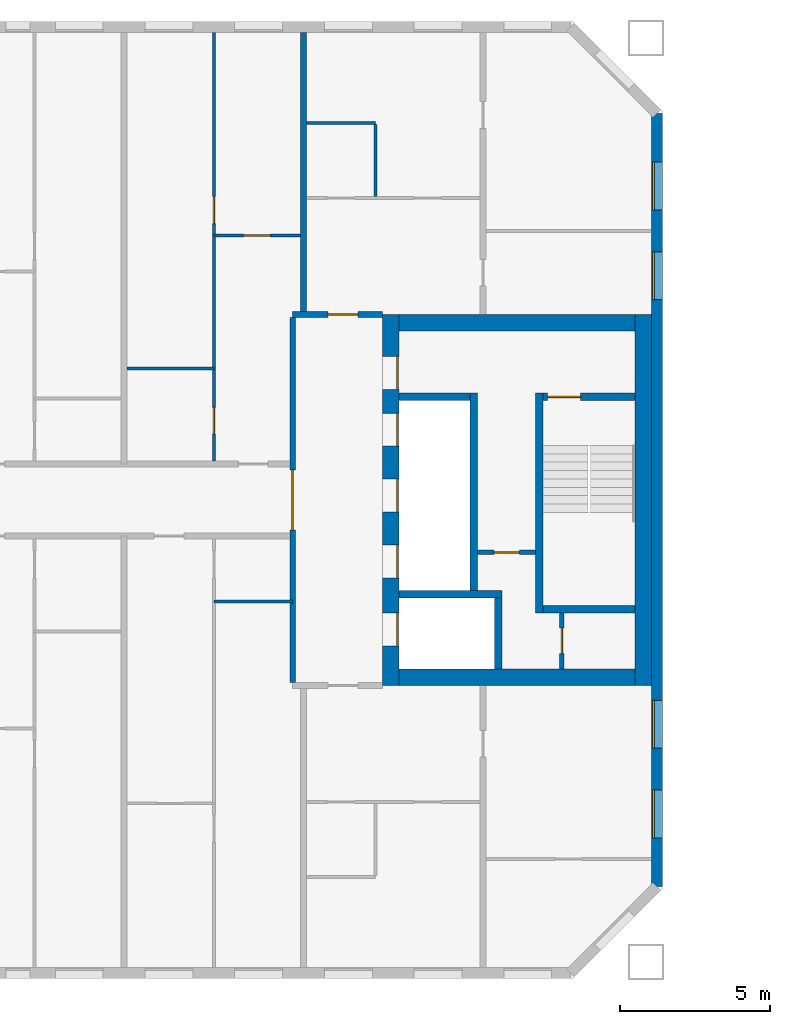
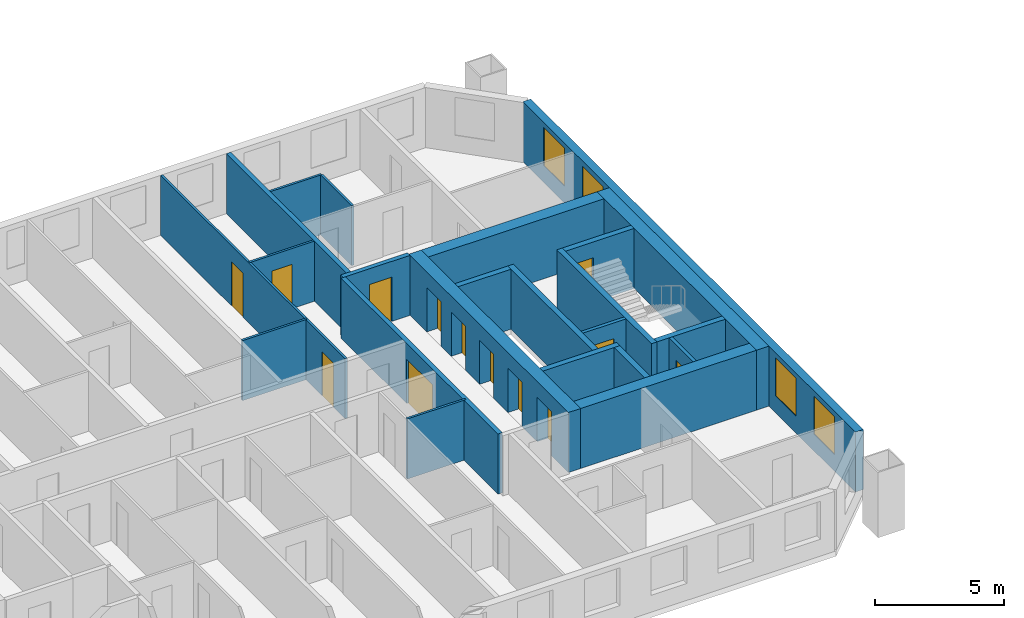
# One storey, part 7 of 16: 23 walls, 13 doors, 4 windows, 17 openings.
"""IFC4 building model written with IfcOpenShell, lengths in metres."""

from ifc_helpers import new_model, si_unit, direction, frame, frame_2d, origin, place, context, subcontext, project, spatial, rectangle, extrude, material, layer, layer_set, type_object, element, fill, save


model = new_model("IFC4")

# Units and contexts
model_context = context("Model", 3, precision=1e-05, world=origin(), true_north=direction((0.0, 1.0)))
body_context = subcontext(model_context, "Body", "Model", "MODEL_VIEW")
ifc_project = project(units=[si_unit("LENGTHUNIT", "METRE"), si_unit("AREAUNIT", "SQUARE_METRE"), si_unit("VOLUMEUNIT", "CUBIC_METRE"), si_unit("PLANEANGLEUNIT", "RADIAN"), si_unit("MASSUNIT", "GRAM", prefix="KILO")], contexts=[model_context])

# Site, building, storey
site_placement = place(None, origin())
site = spatial("IfcSite", under=ifc_project, at=site_placement, CompositionType="ELEMENT")
building_placement = place(site_placement, origin())
building = spatial("IfcBuilding", under=site, at=building_placement, Name="Tuart Gate Housing", CompositionType="ELEMENT")
storey_placement = place(building_placement, frame((0.0, 0.0, 139.199951171875)))
storey = spatial("IfcBuildingStorey", under=building, at=storey_placement, Name="L39", CompositionType="ELEMENT", Elevation=139.199951171875)

# Wall, openings, windows
ifc_material_1 = material(Name="Brick", Category="masonry")
ifc_layer_1 = layer(ifc_material_1, 0.360107421875)
ifc_layer_set_1 = layer_set([ifc_layer_1], Name="Brick pier and spandrel wall 360")
wall_type_1 = type_object("IfcWallType", Name="Brick pier and spandrel wall 360", PredefinedType="STANDARD", material=ifc_layer_set_1)
wall_1_placement = place(storey_placement, frame((75.820068359375, 57.07470703125, 0.0), z_axis=(0.0, 0.0, 1.0), x_axis=(0.0, 1.0, 0.0)))
wall_1 = element("IfcWall", 1, at=wall_1_placement, inside=storey, type_object=wall_type_1, Name="External wall A-E L39", PredefinedType="STANDARD", context=body_context, shape_type="SweptSolid", body=[
    extrude(rectangle(XDim=25.850830078125, YDim=0.360107421875, at=frame_2d((12.92529296875, 0.0))), origin(), (0.0, 0.0, 1.0), 2.85009765625),
])
opening_1_placement = place(wall_1_placement, frame((1.62548828125, 0.0, 0.800048828125)))
opening_1 = element("IfcOpeningElement", 2, at=opening_1_placement, cuts=wall_1, Name="Opening W1", PredefinedType="OPENING", context=body_context, shape_type="SweptSolid", body=[
    extrude(rectangle(XDim=1.60009765625, YDim=1.800048828125, at=frame_2d((0.800048828125, 0.89990234375))), frame((0.0, 0.18994140625, 0.0), z_axis=(0.0, -1.0, 0.0), x_axis=(1.0, 0.0, 0.0)), (0.0, 0.0, 1.0), 0.380126953125),
])
opening_2_placement = place(wall_1_placement, frame((4.62548828125, 0.0, 0.800048828125)))
opening_2 = element("IfcOpeningElement", 3, at=opening_2_placement, cuts=wall_1, Name="Opening W1", PredefinedType="OPENING", context=body_context, shape_type="SweptSolid", body=[
    extrude(rectangle(XDim=1.60009765625, YDim=1.800048828125, at=frame_2d((0.800048828125, 0.89990234375))), frame((0.0, 0.18994140625, 0.0), z_axis=(0.0, -1.0, 0.0), x_axis=(1.0, 0.0, 0.0)), (0.0, 0.0, 1.0), 0.380126953125),
])
opening_3_placement = place(wall_1_placement, frame((19.62548828125, 0.0, 0.800048828125)))
opening_3 = element("IfcOpeningElement", 4, at=opening_3_placement, cuts=wall_1, Name="Opening W1", PredefinedType="OPENING", context=body_context, shape_type="SweptSolid", body=[
    extrude(rectangle(XDim=1.60009765625, YDim=1.800048828125, at=frame_2d((0.800048828125, 0.89990234375))), frame((0.0, 0.18994140625, 0.0), z_axis=(0.0, -1.0, 0.0), x_axis=(1.0, 0.0, 0.0)), (0.0, 0.0, 1.0), 0.380126953125),
])
opening_4_placement = place(wall_1_placement, frame((22.62548828125, 0.0, 0.800048828125)))
opening_4 = element("IfcOpeningElement", 5, at=opening_4_placement, cuts=wall_1, Name="Opening W1", PredefinedType="OPENING", context=body_context, shape_type="SweptSolid", body=[
    extrude(rectangle(XDim=1.60009765625, YDim=1.800048828125, at=frame_2d((0.800048828125, 0.89990234375))), frame((0.0, 0.18994140625, 0.0), z_axis=(0.0, -1.0, 0.0), x_axis=(1.0, 0.0, 0.0)), (0.0, 0.0, 1.0), 0.380126953125),
])
ifc_material_2 = material(Name="Aluminium frame with clear glass", Category="aluminium")
window_type = type_object("IfcWindowType", Name="Punched window 1600 x 1800", PartitioningType="SINGLE_PANEL", PredefinedType="WINDOW", material=ifc_material_2)
window_1_placement = place(opening_1_placement, origin())
window_1 = element("IfcWindow", 6, at=window_1_placement, inside=storey, type_object=window_type, Name="Window W1", OverallHeight=1.800048828125, OverallWidth=1.60009765625, PartitioningType="SINGLE_PANEL", PredefinedType="WINDOW", context=body_context, shape_type="SweptSolid", body=[
    extrude(rectangle(XDim=1.60009765625, YDim=1.800048828125, at=frame_2d((0.800048828125, 0.89990234375))), frame((0.0, 0.150146484375, 0.0), z_axis=(0.0, -1.0, 0.0), x_axis=(1.0, 0.0, 0.0)), (0.0, 0.0, 1.0), 0.06005859375),
])
fill(opening_1, window_1)
window_2_placement = place(opening_2_placement, origin())
window_2 = element("IfcWindow", 7, at=window_2_placement, inside=storey, type_object=window_type, Name="Window W1", OverallHeight=1.800048828125, OverallWidth=1.60009765625, PartitioningType="SINGLE_PANEL", PredefinedType="WINDOW", context=body_context, shape_type="SweptSolid", body=[
    extrude(rectangle(XDim=1.60009765625, YDim=1.800048828125, at=frame_2d((0.800048828125, 0.89990234375))), frame((0.0, 0.150146484375, 0.0), z_axis=(0.0, -1.0, 0.0), x_axis=(1.0, 0.0, 0.0)), (0.0, 0.0, 1.0), 0.06005859375),
])
fill(opening_2, window_2)
window_3_placement = place(opening_3_placement, origin())
window_3 = element("IfcWindow", 8, at=window_3_placement, inside=storey, type_object=window_type, Name="Window W1", OverallHeight=1.800048828125, OverallWidth=1.60009765625, PartitioningType="SINGLE_PANEL", PredefinedType="WINDOW", context=body_context, shape_type="SweptSolid", body=[
    extrude(rectangle(XDim=1.60009765625, YDim=1.800048828125, at=frame_2d((0.800048828125, 0.89990234375))), frame((0.0, 0.150146484375, 0.0), z_axis=(0.0, -1.0, 0.0), x_axis=(1.0, 0.0, 0.0)), (0.0, 0.0, 1.0), 0.06005859375),
])
fill(opening_3, window_3)
window_4_placement = place(opening_4_placement, origin())
window_4 = element("IfcWindow", 9, at=window_4_placement, inside=storey, type_object=window_type, Name="Window W1", OverallHeight=1.800048828125, OverallWidth=1.60009765625, PartitioningType="SINGLE_PANEL", PredefinedType="WINDOW", context=body_context, shape_type="SweptSolid", body=[
    extrude(rectangle(XDim=1.60009765625, YDim=1.800048828125, at=frame_2d((0.800048828125, 0.89990234375))), frame((0.0, 0.150146484375, 0.0), z_axis=(0.0, -1.0, 0.0), x_axis=(1.0, 0.0, 0.0)), (0.0, 0.0, 1.0), 0.06005859375),
])
fill(opening_4, window_4)

# Wall, opening, door
ifc_material_3 = material(Name="Plasterboard partition")
ifc_layer_2 = layer(ifc_material_3, 0.14990234375)
ifc_layer_set_2 = layer_set([ifc_layer_2], Name="Core partition 150")
wall_type_2 = type_object("IfcWallType", Name="Core partition 150", PredefinedType="PARTITIONING", material=ifc_layer_set_2)
wall_2_placement = place(storey_placement, frame((69.81494140625, 68.25, 0.0), z_axis=(0.0, 0.0, 1.0), x_axis=(1.0, 0.0, 0.0)))
wall_2 = element("IfcWall", 10, at=wall_2_placement, inside=storey, type_object=wall_type_2, Name="Core partition AG.3", PredefinedType="PARTITIONING", context=body_context, shape_type="SweptSolid", body=[
    extrude(rectangle(XDim=1.949951171875, YDim=0.14990234375, at=frame_2d((0.97509765625, 0.0))), origin(), (0.0, 0.0, 1.0), 2.85009765625),
])
opening_5_placement = place(wall_2_placement, frame((0.550048828125, 0.0, 0.0)))
opening_5 = element("IfcOpeningElement", 11, at=opening_5_placement, cuts=wall_2, Name="Opening D1440", PredefinedType="OPENING", context=body_context, shape_type="SweptSolid", body=[
    extrude(rectangle(XDim=0.85009765625, YDim=2.10009765625, at=frame_2d((0.425048828125, 1.050048828125))), frame((0.0, 0.0849609375, 0.0), z_axis=(0.0, -1.0, 0.0), x_axis=(1.0, 0.0, 0.0)), (0.0, 0.0, 1.0), 0.169921875),
])
ifc_material_4 = material(Name="Steel fire door", Category="steel")
door_type_1 = type_object("IfcDoorType", Name="Riser door 850 x 2100 RH", OperationType="SINGLE_SWING_RIGHT", PredefinedType="DOOR", material=ifc_material_4)
door_1_placement = place(opening_5_placement, frame((0.85009765625, 0.0, 0.0), z_axis=(0.0, 0.0, 1.0), x_axis=(-1.0, 0.0, 0.0)))
door_1 = element("IfcDoor", 12, at=door_1_placement, inside=storey, type_object=door_type_1, Name="Service room door AG.E1", OperationType="SINGLE_SWING_RIGHT", OverallHeight=2.10009765625, OverallWidth=0.85009765625, PredefinedType="DOOR", context=body_context, shape_type="SweptSolid", body=[
    extrude(rectangle(XDim=0.85009765625, YDim=2.10009765625, at=frame_2d((0.425048828125, 1.050048828125))), frame((0.0, 0.025146484375, 0.0), z_axis=(0.0, -1.0, 0.0), x_axis=(1.0, 0.0, 0.0)), (0.0, 0.0, 1.0), 0.050048828125),
])
fill(opening_5, door_1)

wall_3_placement = place(storey_placement, frame((72.639892578125, 64.35009765625, 0.0), z_axis=(0.0, 0.0, 1.0), x_axis=(0.0, 1.0, 0.0)))
wall_3 = element("IfcWall", 13, at=wall_3_placement, inside=storey, type_object=wall_type_2, Name="Core partition AG.9", PredefinedType="PARTITIONING", context=body_context, shape_type="SweptSolid", body=[
    extrude(rectangle(XDim=1.875, YDim=0.14990234375, at=frame_2d((0.9375, 0.0))), origin(), (0.0, 0.0, 1.0), 2.85009765625),
])
opening_6_placement = place(wall_3_placement, frame((0.512451171875, 0.0, 0.0)))
opening_6 = element("IfcOpeningElement", 14, at=opening_6_placement, cuts=wall_3, Name="Opening D1442", PredefinedType="OPENING", context=body_context, shape_type="SweptSolid", body=[
    extrude(rectangle(XDim=0.85009765625, YDim=2.10009765625, at=frame_2d((0.425048828125, 1.050048828125))), frame((0.0, 0.0849609375, 0.0), z_axis=(0.0, -1.0, 0.0), x_axis=(1.0, 0.0, 0.0)), (0.0, 0.0, 1.0), 0.169921875),
])
ifc_material_5 = material(Name="Steel fire door", Category="steel")
door_type_2 = type_object("IfcDoorType", Name="Service door 850 x 2100", OperationType="SINGLE_SWING_LEFT", PredefinedType="DOOR", material=ifc_material_5)
door_2_placement = place(opening_6_placement, origin())
door_2 = element("IfcDoor", 15, at=door_2_placement, inside=storey, type_object=door_type_2, Name="Service room door AG.E2", OperationType="SINGLE_SWING_LEFT", OverallHeight=2.10009765625, OverallWidth=0.85009765625, PredefinedType="DOOR", context=body_context, shape_type="SweptSolid", body=[
    extrude(rectangle(XDim=0.85009765625, YDim=2.10009765625, at=frame_2d((0.425048828125, 1.050048828125))), frame((0.0, 0.02490234375, 0.0), z_axis=(0.0, -1.0, 0.0), x_axis=(1.0, 0.0, 0.0)), (0.0, 0.0, 1.0), 0.050048828125),
])
fill(opening_6, door_2)

# Walls
ifc_material_6 = material(Name="Concrete C50", Category="concrete")
ifc_layer_3 = layer(ifc_material_6, 0.25)
ifc_layer_set_3 = layer_set([ifc_layer_3], Name="Core wall 250 C50")
wall_type_3 = type_object("IfcWallType", Name="Core wall 250 C50", PredefinedType="SHEAR", material=ifc_layer_set_3)
wall_4_placement = place(storey_placement, frame((72.014892578125, 66.35009765625, 0.0), z_axis=(0.0, 0.0, 1.0), x_axis=(1.0, 0.0, 0.0)))
element("IfcWall", 16, at=wall_4_placement, inside=storey, type_object=wall_type_3, Name="Core wall AG.1", PredefinedType="SHEAR", context=body_context, shape_type="SweptSolid", body=[
    extrude(rectangle(XDim=3.0751953125, YDim=0.25, at=frame_2d((1.53759765625, 0.0))), origin(), (0.0, 0.0, 1.0), 2.85009765625),
])
wall_5_placement = place(storey_placement, frame((67.18994140625, 66.85009765625, 0.0), z_axis=(0.0, 0.0, 1.0), x_axis=(1.0, 0.0, 0.0)))
element("IfcWall", 17, at=wall_5_placement, inside=storey, type_object=wall_type_3, Name="Core wall AG.2", PredefinedType="SHEAR", context=body_context, shape_type="SweptSolid", body=[
    extrude(rectangle(XDim=3.445068359375, YDim=0.25, at=frame_2d((1.72265625, 0.0))), origin(), (0.0, 0.0, 1.0), 2.85009765625),
])
wall_6_placement = place(storey_placement, frame((67.18994140625, 73.449951171875, 0.0), z_axis=(0.0, 0.0, 1.0), x_axis=(1.0, 0.0, 0.0)))
element("IfcWall", 18, at=wall_6_placement, inside=storey, type_object=wall_type_3, Name="Core wall AG.4", PredefinedType="SHEAR", context=body_context, shape_type="SweptSolid", body=[
    extrude(rectangle(XDim=2.375, YDim=0.25, at=frame_2d((1.1875, 0.0))), origin(), (0.0, 0.0, 1.0), 2.85009765625),
])

# Wall, opening, door
wall_7_placement = place(storey_placement, frame((72.014892578125, 73.449951171875, 0.0), z_axis=(0.0, 0.0, 1.0), x_axis=(1.0, 0.0, 0.0)))
wall_7 = element("IfcWall", 19, at=wall_7_placement, inside=storey, type_object=wall_type_3, Name="Core wall AG.5", PredefinedType="SHEAR", context=body_context, shape_type="SweptSolid", body=[
    extrude(rectangle(XDim=3.0751953125, YDim=0.25, at=frame_2d((1.53759765625, 0.0))), origin(), (0.0, 0.0, 1.0), 2.85009765625),
])
opening_7_placement = place(wall_7_placement, frame((0.14990234375, 0.0, 0.0)))
opening_7 = element("IfcOpeningElement", 20, at=opening_7_placement, cuts=wall_7, Name="Opening D1423", PredefinedType="OPENING", context=body_context, shape_type="SweptSolid", body=[
    extrude(rectangle(XDim=1.10009765625, YDim=2.10009765625, at=frame_2d((0.550048828125, 1.050048828125))), frame((0.0, 0.135009765625, 0.0), z_axis=(0.0, -1.0, 0.0), x_axis=(1.0, 0.0, 0.0)), (0.0, 0.0, 1.0), 0.27001953125),
])
ifc_material_7 = material(Name="Steel fire door", Category="steel")
door_type_3 = type_object("IfcDoorType", Name="Stair door 1100 x 2100 RH", OperationType="SINGLE_SWING_RIGHT", PredefinedType="DOOR", material=ifc_material_7)
door_3_placement = place(opening_7_placement, frame((1.10009765625, 0.0, 0.0), z_axis=(0.0, 0.0, 1.0), x_axis=(-1.0, 0.0, 0.0)))
door_3 = element("IfcDoor", 21, at=door_3_placement, inside=storey, type_object=door_type_3, Name="Stair door AG.SD", OperationType="SINGLE_SWING_RIGHT", OverallHeight=2.10009765625, OverallWidth=1.10009765625, PredefinedType="DOOR", context=body_context, shape_type="SweptSolid", body=[
    extrude(rectangle(XDim=1.10009765625, YDim=2.10009765625, at=frame_2d((0.550048828125, 1.050048828125))), frame((0.0, 0.025146484375, 0.0), z_axis=(0.0, -1.0, 0.0), x_axis=(1.0, 0.0, 0.0)), (0.0, 0.0, 1.0), 0.050048828125),
])
fill(opening_7, door_3)

# Walls
wall_8_placement = place(storey_placement, frame((69.68994140625, 66.97509765625, 0.0), z_axis=(0.0, 0.0, 1.0), x_axis=(0.0, 1.0, 0.0)))
element("IfcWall", 22, at=wall_8_placement, inside=storey, type_object=wall_type_3, Name="Core wall AG.6", PredefinedType="SHEAR", context=body_context, shape_type="SweptSolid", body=[
    extrude(rectangle(XDim=6.599853515625, YDim=0.25, at=frame_2d((3.2998046875, 0.0))), origin(), (0.0, 0.0, 1.0), 2.85009765625),
])
wall_9_placement = place(storey_placement, frame((70.510009765625, 64.35009765625, 0.0), z_axis=(0.0, 0.0, 1.0), x_axis=(0.0, 1.0, 0.0)))
element("IfcWall", 23, at=wall_9_placement, inside=storey, type_object=wall_type_3, Name="Core wall AG.7", PredefinedType="SHEAR", context=body_context, shape_type="SweptSolid", body=[
    extrude(rectangle(XDim=2.375, YDim=0.25, at=frame_2d((1.1875, 0.0))), origin(), (0.0, 0.0, 1.0), 2.85009765625),
])
wall_10_placement = place(storey_placement, frame((71.889892578125, 66.22509765625, 0.0), z_axis=(0.0, 0.0, 1.0), x_axis=(0.0, 1.0, 0.0)))
element("IfcWall", 24, at=wall_10_placement, inside=storey, type_object=wall_type_3, Name="Core wall AG.8", PredefinedType="SHEAR", context=body_context, shape_type="SweptSolid", body=[
    extrude(rectangle(XDim=7.349853515625, YDim=0.25, at=frame_2d((3.6748046875, 0.0))), origin(), (0.0, 0.0, 1.0), 2.85009765625),
])

# Wall, openings, doors
ifc_material_8 = material(Name="Concrete C50", Category="concrete")
ifc_layer_4 = layer(ifc_material_8, 0.550048828125)
ifc_layer_set_4 = layer_set([ifc_layer_4], Name="Core wall 550 C50")
wall_type_4 = type_object("IfcWallType", Name="Core wall 550 C50", PredefinedType="SHEAR", material=ifc_layer_set_4)
wall_11_placement = place(storey_placement, frame((66.9150390625, 63.800048828125, 0.0), z_axis=(0.0, 0.0, 1.0), x_axis=(0.0, 1.0, 0.0)))
wall_11 = element("IfcWall", 25, at=wall_11_placement, inside=storey, type_object=wall_type_4, Name="Core wall AG front", PredefinedType="SHEAR", context=body_context, shape_type="SweptSolid", body=[
    extrude(rectangle(XDim=12.39990234375, YDim=0.550048828125, at=frame_2d((6.199951171875, 0.0))), origin(), (0.0, 0.0, 1.0), 2.85009765625),
])
opening_8_placement = place(wall_11_placement, frame((1.324951171875, 0.0, 0.0)))
opening_8 = element("IfcOpeningElement", 26, at=opening_8_placement, cuts=wall_11, Name="Opening LD-FA1", PredefinedType="OPENING", context=body_context, shape_type="SweptSolid", body=[
    extrude(rectangle(XDim=1.10009765625, YDim=2.10009765625, at=frame_2d((0.550048828125, 1.050048828125))), frame((0.0, 0.284912109375, 0.0), z_axis=(0.0, -1.0, 0.0), x_axis=(1.0, 0.0, 0.0)), (0.0, 0.0, 1.0), 0.570068359375),
])
opening_9_placement = place(wall_11_placement, frame((3.60009765625, 0.0, 0.0)))
opening_9 = element("IfcOpeningElement", 27, at=opening_9_placement, cuts=wall_11, Name="Opening LD-LA1", PredefinedType="OPENING", context=body_context, shape_type="SweptSolid", body=[
    extrude(rectangle(XDim=1.10009765625, YDim=2.10009765625, at=frame_2d((0.550048828125, 1.050048828125))), frame((0.0, 0.284912109375, 0.0), z_axis=(0.0, -1.0, 0.0), x_axis=(1.0, 0.0, 0.0)), (0.0, 0.0, 1.0), 0.570068359375),
])
opening_10_placement = place(wall_11_placement, frame((5.800048828125, 0.0, 0.0)))
opening_10 = element("IfcOpeningElement", 28, at=opening_10_placement, cuts=wall_11, Name="Opening LD-LA2", PredefinedType="OPENING", context=body_context, shape_type="SweptSolid", body=[
    extrude(rectangle(XDim=1.10009765625, YDim=2.10009765625, at=frame_2d((0.550048828125, 1.050048828125))), frame((0.0, 0.284912109375, 0.0), z_axis=(0.0, -1.0, 0.0), x_axis=(1.0, 0.0, 0.0)), (0.0, 0.0, 1.0), 0.570068359375),
])
opening_11_placement = place(wall_11_placement, frame((8.0, 0.0, 0.0)))
opening_11 = element("IfcOpeningElement", 29, at=opening_11_placement, cuts=wall_11, Name="Opening LD-LA3", PredefinedType="OPENING", context=body_context, shape_type="SweptSolid", body=[
    extrude(rectangle(XDim=1.10009765625, YDim=2.10009765625, at=frame_2d((0.550048828125, 1.050048828125))), frame((0.0, 0.284912109375, 0.0), z_axis=(0.0, -1.0, 0.0), x_axis=(1.0, 0.0, 0.0)), (0.0, 0.0, 1.0), 0.570068359375),
])
opening_12_placement = place(wall_11_placement, frame((9.89990234375, 0.0, 0.0)))
opening_12 = element("IfcOpeningElement", 30, at=opening_12_placement, cuts=wall_11, Name="Opening D1436", PredefinedType="OPENING", context=body_context, shape_type="SweptSolid", body=[
    extrude(rectangle(XDim=1.10009765625, YDim=2.10009765625, at=frame_2d((0.550048828125, 1.050048828125))), frame((0.0, 0.284912109375, 0.0), z_axis=(0.0, -1.0, 0.0), x_axis=(1.0, 0.0, 0.0)), (0.0, 0.0, 1.0), 0.570068359375),
])
ifc_material_9 = material(Name="Stainless steel", Category="steel")
door_type_4 = type_object("IfcDoorType", Name="Landing door 1100 x 2100", OperationType="DOUBLE_DOOR_SLIDING", PredefinedType="DOOR", material=ifc_material_9)
door_4_placement = place(opening_8_placement, origin())
door_4 = element("IfcDoor", 31, at=door_4_placement, inside=storey, type_object=door_type_4, Name="Lift landing door FA1", OperationType="DOUBLE_DOOR_SLIDING", OverallHeight=2.10009765625, OverallWidth=1.10009765625, PredefinedType="DOOR", context=body_context, shape_type="SweptSolid", body=[
    extrude(rectangle(XDim=1.10009765625, YDim=2.10009765625, at=frame_2d((0.550048828125, 1.050048828125))), frame((0.0, -0.2099609375, 0.0), z_axis=(0.0, -1.0, 0.0), x_axis=(1.0, 0.0, 0.0)), (0.0, 0.0, 1.0), 0.050048828125),
])
fill(opening_8, door_4)
door_5_placement = place(opening_9_placement, origin())
door_5 = element("IfcDoor", 32, at=door_5_placement, inside=storey, type_object=door_type_4, Name="Lift landing door LA1", OperationType="DOUBLE_DOOR_SLIDING", OverallHeight=2.10009765625, OverallWidth=1.10009765625, PredefinedType="DOOR", context=body_context, shape_type="SweptSolid", body=[
    extrude(rectangle(XDim=1.10009765625, YDim=2.10009765625, at=frame_2d((0.550048828125, 1.050048828125))), frame((0.0, -0.2099609375, 0.0), z_axis=(0.0, -1.0, 0.0), x_axis=(1.0, 0.0, 0.0)), (0.0, 0.0, 1.0), 0.050048828125),
])
fill(opening_9, door_5)
door_6_placement = place(opening_10_placement, origin())
door_6 = element("IfcDoor", 33, at=door_6_placement, inside=storey, type_object=door_type_4, Name="Lift landing door LA2", OperationType="DOUBLE_DOOR_SLIDING", OverallHeight=2.10009765625, OverallWidth=1.10009765625, PredefinedType="DOOR", context=body_context, shape_type="SweptSolid", body=[
    extrude(rectangle(XDim=1.10009765625, YDim=2.10009765625, at=frame_2d((0.550048828125, 1.050048828125))), frame((0.0, -0.2099609375, 0.0), z_axis=(0.0, -1.0, 0.0), x_axis=(1.0, 0.0, 0.0)), (0.0, 0.0, 1.0), 0.050048828125),
])
fill(opening_10, door_6)
door_7_placement = place(opening_11_placement, origin())
door_7 = element("IfcDoor", 34, at=door_7_placement, inside=storey, type_object=door_type_4, Name="Lift landing door LA3", OperationType="DOUBLE_DOOR_SLIDING", OverallHeight=2.10009765625, OverallWidth=1.10009765625, PredefinedType="DOOR", context=body_context, shape_type="SweptSolid", body=[
    extrude(rectangle(XDim=1.10009765625, YDim=2.10009765625, at=frame_2d((0.550048828125, 1.050048828125))), frame((0.0, -0.2099609375, 0.0), z_axis=(0.0, -1.0, 0.0), x_axis=(1.0, 0.0, 0.0)), (0.0, 0.0, 1.0), 0.050048828125),
])
fill(opening_11, door_7)
ifc_material_10 = material(Name="Steel fire door", Category="steel")
door_type_5 = type_object("IfcDoorType", Name="Lobby door 1100 x 2100 RH", OperationType="SINGLE_SWING_RIGHT", PredefinedType="DOOR", material=ifc_material_10)
door_8_placement = place(opening_12_placement, frame((1.10009765625, 0.0, 0.0), z_axis=(0.0, 0.0, 1.0), x_axis=(-1.0, 0.0, 0.0)))
door_8 = element("IfcDoor", 35, at=door_8_placement, inside=storey, type_object=door_type_5, Name="Lobby entry door AG.EN", OperationType="SINGLE_SWING_RIGHT", OverallHeight=2.10009765625, OverallWidth=1.10009765625, PredefinedType="DOOR", context=body_context, shape_type="SweptSolid", body=[
    extrude(rectangle(XDim=1.10009765625, YDim=2.10009765625, at=frame_2d((0.550048828125, 1.050048828125))), frame((0.0, 0.260009765625, 0.0), z_axis=(0.0, -1.0, 0.0), x_axis=(1.0, 0.0, 0.0)), (0.0, 0.0, 1.0), 0.050048828125),
])
fill(opening_12, door_8)

# Walls
wall_12_placement = place(storey_placement, frame((75.364990234375, 63.800048828125, 0.0), z_axis=(0.0, 0.0, 1.0), x_axis=(0.0, 1.0, 0.0)))
element("IfcWall", 36, at=wall_12_placement, inside=storey, type_object=wall_type_4, Name="Core wall AG back", PredefinedType="SHEAR", context=body_context, shape_type="SweptSolid", body=[
    extrude(rectangle(XDim=12.39990234375, YDim=0.550048828125, at=frame_2d((6.199951171875, 0.0))), origin(), (0.0, 0.0, 1.0), 2.85009765625),
])
for number, where, z_axis, x_axis, name in (
    (37, (67.18994140625, 64.074951171875, 0.0), (0.0, 0.0, 1.0), (1.0, 0.0, 0.0), "Core wall AG south"),
    (38, (67.18994140625, 75.925048828125, 0.0), (0.0, 0.0, 1.0), (1.0, 0.0, 0.0), "Core wall AG north"),
):
    element("IfcWall", number, at=place(storey_placement, frame(where, z_axis=z_axis, x_axis=x_axis)), inside=storey, type_object=wall_type_4, Name=name, PredefinedType="SHEAR", context=body_context, shape_type="SweptSolid", body=[
        extrude(rectangle(XDim=7.900146484375, YDim=0.550048828125, at=frame_2d((3.9501953125, 0.0))), origin(), (0.0, 0.0, 1.0), 2.85009765625),
    ])

# Wall, opening, door
ifc_material_11 = material(Name="Concrete masonry 15 MPa", Category="masonry")
ifc_layer_5 = layer(ifc_material_11, 0.199951171875)
ifc_layer_set_5 = layer_set([ifc_layer_5], Name="Enclosure wall masonry 200")
wall_type_5 = type_object("IfcWallType", Name="Enclosure wall masonry 200", PredefinedType="PARTITIONING", material=ifc_layer_set_5)
wall_13_placement = place(storey_placement, frame((63.639892578125, 76.199951171875, 0.0), z_axis=(0.0, 0.0, 1.0), x_axis=(1.0, 0.0, 0.0)))
wall_13 = element("IfcWall", 39, at=wall_13_placement, inside=storey, type_object=wall_type_5, Name="Enclosure wall masonry 200", PredefinedType="PARTITIONING", context=body_context, shape_type="SweptSolid", body=[
    extrude(rectangle(XDim=3.0, YDim=0.199951171875, at=frame_2d((1.5, 0.0))), origin(), (0.0, 0.0, 1.0), 2.85009765625),
])
opening_13_placement = place(wall_13_placement, frame((1.179931640625, 0.0, 0.0)))
opening_13 = element("IfcOpeningElement", 40, at=opening_13_placement, cuts=wall_13, Name="Opening D1422", PredefinedType="OPENING", context=body_context, shape_type="SweptSolid", body=[
    extrude(rectangle(XDim=1.0, YDim=2.10009765625, at=frame_2d((0.5, 1.050048828125))), frame((0.0, 0.10986328125, 0.0), z_axis=(0.0, -1.0, 0.0), x_axis=(1.0, 0.0, 0.0)), (0.0, 0.0, 1.0), 0.219970703125),
])
ifc_material_12 = material(Name="Timber door leaf in steel frame", Category="steel")
door_type_6 = type_object("IfcDoorType", Name="Flat entrance door 1000", OperationType="SINGLE_SWING_LEFT", PredefinedType="DOOR", material=ifc_material_12)
door_9_placement = place(opening_13_placement, origin())
door_9 = element("IfcDoor", 41, at=door_9_placement, inside=storey, type_object=door_type_6, Name="Flat entrance door", OperationType="SINGLE_SWING_LEFT", OverallHeight=2.10009765625, OverallWidth=1.0, PredefinedType="DOOR", context=body_context, shape_type="SweptSolid", body=[
    extrude(rectangle(XDim=1.0, YDim=2.10009765625, at=frame_2d((0.5, 1.050048828125))), frame((0.0, 0.02490234375, 0.0), z_axis=(0.0, -1.0, 0.0), x_axis=(1.0, 0.0, 0.0)), (0.0, 0.0, 1.0), 0.050048828125),
])
fill(opening_13, door_9)

ifc_material_13 = material(Name="Plasterboard partition")
ifc_layer_6 = layer(ifc_material_13, 0.199951171875)
ifc_layer_set_6 = layer_set([ifc_layer_6], Name="Lobby wall 200")
wall_type_6 = type_object("IfcWallType", Name="Lobby wall 200", PredefinedType="PARTITIONING", material=ifc_layer_set_6)
wall_14_placement = place(storey_placement, frame((63.639892578125, 63.89990234375, 0.0), z_axis=(0.0, 0.0, 1.0), x_axis=(0.0, 1.0, 0.0)))
wall_14 = element("IfcWall", 42, at=wall_14_placement, inside=storey, type_object=wall_type_6, Name="Lift lobby wall AG", PredefinedType="PARTITIONING", context=body_context, shape_type="SweptSolid", body=[
    extrude(rectangle(XDim=12.2001953125, YDim=0.199951171875, at=frame_2d((6.10009765625, 0.0))), origin(), (0.0, 0.0, 1.0), 2.85009765625),
])
opening_14_placement = place(wall_14_placement, frame((5.10009765625, 0.0, 0.0)))
opening_14 = element("IfcOpeningElement", 43, at=opening_14_placement, cuts=wall_14, Name="Opening D1435", PredefinedType="OPENING", context=body_context, shape_type="SweptSolid", body=[
    extrude(rectangle(XDim=2.0, YDim=2.10009765625, at=frame_2d((1.0, 1.050048828125))), frame((0.0, 0.10986328125, 0.0), z_axis=(0.0, -1.0, 0.0), x_axis=(1.0, 0.0, 0.0)), (0.0, 0.0, 1.0), 0.219970703125),
])
ifc_material_14 = material(Name="Steel fire door", Category="steel")
door_type_7 = type_object("IfcDoorType", Name="Smoke door 2000 x 2100", OperationType="DOUBLE_DOOR_SINGLE_SWING", PredefinedType="DOOR", material=ifc_material_14)
door_10_placement = place(opening_14_placement, frame((2.0, 0.0, 0.0), z_axis=(0.0, 0.0, 1.0), x_axis=(-1.0, 0.0, 0.0)))
door_10 = element("IfcDoor", 44, at=door_10_placement, inside=storey, type_object=door_type_7, Name="Lift lobby smoke door AG", OperationType="DOUBLE_DOOR_SINGLE_SWING", OverallHeight=2.10009765625, OverallWidth=2.0, PredefinedType="DOOR", context=body_context, shape_type="SweptSolid", body=[
    extrude(rectangle(XDim=2.0, YDim=2.10009765625, at=frame_2d((1.0, 1.050048828125))), frame((0.0, 0.025146484375, 0.0), z_axis=(0.0, -1.0, 0.0), x_axis=(1.0, 0.0, 0.0)), (0.0, 0.0, 1.0), 0.050048828125),
])
fill(opening_14, door_10)

# Walls
ifc_material_15 = material(Name="Gypsum board on steel studs", Category="steel")
ifc_layer_7 = layer(ifc_material_15, 0.10009765625)
ifc_layer_set_7 = layer_set([ifc_layer_7], Name="Partition 100")
wall_type_7 = type_object("IfcWallType", Name="Partition 100", PredefinedType="PARTITIONING", material=ifc_layer_set_7)
wall_15_placement = place(storey_placement, frame((61.0, 66.60009765625, 0.0), z_axis=(0.0, 0.0, 1.0), x_axis=(1.0, 0.0, 0.0)))
element("IfcWall", 45, at=wall_15_placement, inside=storey, type_object=wall_type_7, Name="Partition 100", PredefinedType="PARTITIONING", context=body_context, shape_type="SweptSolid", body=[
    extrude(rectangle(XDim=2.639892578125, YDim=0.10009765625, at=frame_2d((1.31982421875, 0.0))), origin(), (0.0, 0.0, 1.0), 2.85009765625),
])
wall_16_placement = place(storey_placement, frame((58.10009765625, 74.39990234375, 0.0), z_axis=(0.0, 0.0, 1.0), x_axis=(1.0, 0.0, 0.0)))
element("IfcWall", 46, at=wall_16_placement, inside=storey, type_object=wall_type_7, Name="Partition 100", PredefinedType="PARTITIONING", context=body_context, shape_type="SweptSolid", body=[
    extrude(rectangle(XDim=2.89990234375, YDim=0.10009765625, at=frame_2d((1.449951171875, 0.0))), origin(), (0.0, 0.0, 1.0), 2.85009765625),
])

# Wall, opening, door
wall_17_placement = place(storey_placement, frame((61.0, 78.840087890625, 0.0), z_axis=(0.0, 0.0, 1.0), x_axis=(1.0, 0.0, 0.0)))
wall_17 = element("IfcWall", 47, at=wall_17_placement, inside=storey, type_object=wall_type_7, Name="Partition 100", PredefinedType="PARTITIONING", context=body_context, shape_type="SweptSolid", body=[
    extrude(rectangle(XDim=2.89990234375, YDim=0.10009765625, at=frame_2d((1.449951171875, 0.0))), origin(), (0.0, 0.0, 1.0), 2.85009765625),
])
opening_15_placement = place(wall_17_placement, frame((1.0, 0.0, 0.0)))
opening_15 = element("IfcOpeningElement", 48, at=opening_15_placement, cuts=wall_17, Name="Opening D1410", PredefinedType="OPENING", context=body_context, shape_type="SweptSolid", body=[
    extrude(rectangle(XDim=0.89990234375, YDim=2.10009765625, at=frame_2d((0.449951171875, 1.050048828125))), frame((0.0, 0.06005859375, 0.0), z_axis=(0.0, -1.0, 0.0), x_axis=(1.0, 0.0, 0.0)), (0.0, 0.0, 1.0), 0.1201171875),
])
ifc_material_16 = material(Name="Timber door leaf in steel frame", Category="steel")
door_type_8 = type_object("IfcDoorType", Name="Internal door 900 RH", OperationType="SINGLE_SWING_RIGHT", PredefinedType="DOOR", material=ifc_material_16)
door_11_placement = place(opening_15_placement, frame((0.89990234375, 0.0, 0.0), z_axis=(0.0, 0.0, 1.0), x_axis=(-1.0, 0.0, 0.0)))
door_11 = element("IfcDoor", 49, at=door_11_placement, inside=storey, type_object=door_type_8, Name="Internal door", OperationType="SINGLE_SWING_RIGHT", OverallHeight=2.10009765625, OverallWidth=0.89990234375, PredefinedType="DOOR", context=body_context, shape_type="SweptSolid", body=[
    extrude(rectangle(XDim=0.89990234375, YDim=2.10009765625, at=frame_2d((0.449951171875, 1.050048828125))), frame((0.0, 0.025146484375, 0.0), z_axis=(0.0, -1.0, 0.0), x_axis=(1.0, 0.0, 0.0)), (0.0, 0.0, 1.0), 0.050048828125),
])
fill(opening_15, door_11)

# Wall
wall_18_placement = place(storey_placement, frame((64.10009765625, 82.60009765625, 0.0), z_axis=(0.0, 0.0, 1.0), x_axis=(1.0, 0.0, 0.0)))
element("IfcWall", 50, at=wall_18_placement, inside=storey, type_object=wall_type_7, Name="Partition 100", PredefinedType="PARTITIONING", context=body_context, shape_type="SweptSolid", body=[
    extrude(rectangle(XDim=2.2998046875, YDim=0.10009765625, at=frame_2d((1.14990234375, 0.0))), origin(), (0.0, 0.0, 1.0), 2.85009765625),
])

# Wall, openings, doors
wall_19_placement = place(storey_placement, frame((61.0, 71.300048828125, 0.0), z_axis=(0.0, 0.0, 1.0), x_axis=(0.0, 1.0, 0.0)))
wall_19 = element("IfcWall", 51, at=wall_19_placement, inside=storey, type_object=wall_type_7, Name="Partition 100", PredefinedType="PARTITIONING", context=body_context, shape_type="SweptSolid", body=[
    extrude(rectangle(XDim=14.33984375, YDim=0.10009765625, at=frame_2d((7.169921875, 0.0))), origin(), (0.0, 0.0, 1.0), 2.85009765625),
])
opening_16_placement = place(wall_19_placement, frame((7.93994140625, 0.0, 0.0)))
opening_16 = element("IfcOpeningElement", 52, at=opening_16_placement, cuts=wall_19, Name="Opening D1419", PredefinedType="OPENING", context=body_context, shape_type="SweptSolid", body=[
    extrude(rectangle(XDim=0.89990234375, YDim=2.10009765625, at=frame_2d((0.449951171875, 1.050048828125))), frame((0.0, 0.06005859375, 0.0), z_axis=(0.0, -1.0, 0.0), x_axis=(1.0, 0.0, 0.0)), (0.0, 0.0, 1.0), 0.1201171875),
])
opening_17_placement = place(wall_19_placement, frame((0.89990234375, 0.0, 0.0)))
opening_17 = element("IfcOpeningElement", 53, at=opening_17_placement, cuts=wall_19, Name="Opening D1418", PredefinedType="OPENING", context=body_context, shape_type="SweptSolid", body=[
    extrude(rectangle(XDim=0.89990234375, YDim=2.10009765625, at=frame_2d((0.449951171875, 1.050048828125))), frame((0.0, 0.06005859375, 0.0), z_axis=(0.0, -1.0, 0.0), x_axis=(1.0, 0.0, 0.0)), (0.0, 0.0, 1.0), 0.1201171875),
])
ifc_material_17 = material(Name="Timber door leaf in steel frame", Category="steel")
door_type_9 = type_object("IfcDoorType", Name="Bathroom door 900", OperationType="SINGLE_SWING_LEFT", PredefinedType="DOOR", material=ifc_material_17)
door_12_placement = place(opening_17_placement, origin())
door_12 = element("IfcDoor", 54, at=door_12_placement, inside=storey, type_object=door_type_9, Name="Bathroom door", OperationType="SINGLE_SWING_LEFT", OverallHeight=2.10009765625, OverallWidth=0.89990234375, PredefinedType="DOOR", context=body_context, shape_type="SweptSolid", body=[
    extrude(rectangle(XDim=0.89990234375, YDim=2.10009765625, at=frame_2d((0.449951171875, 1.050048828125))), frame((0.0, 0.02490234375, 0.0), z_axis=(0.0, -1.0, 0.0), x_axis=(1.0, 0.0, 0.0)), (0.0, 0.0, 1.0), 0.050048828125),
])
fill(opening_17, door_12)
ifc_material_18 = material(Name="Timber door leaf in steel frame", Category="steel")
door_type_10 = type_object("IfcDoorType", Name="Internal door 900", OperationType="SINGLE_SWING_LEFT", PredefinedType="DOOR", material=ifc_material_18)
door_13_placement = place(opening_16_placement, origin())
door_13 = element("IfcDoor", 55, at=door_13_placement, inside=storey, type_object=door_type_10, Name="Internal door", OperationType="SINGLE_SWING_LEFT", OverallHeight=2.10009765625, OverallWidth=0.89990234375, PredefinedType="DOOR", context=body_context, shape_type="SweptSolid", body=[
    extrude(rectangle(XDim=0.89990234375, YDim=2.10009765625, at=frame_2d((0.449951171875, 1.050048828125))), frame((0.0, 0.02490234375, 0.0), z_axis=(0.0, -1.0, 0.0), x_axis=(1.0, 0.0, 0.0)), (0.0, 0.0, 1.0), 0.050048828125),
])
fill(opening_16, door_13)

# Walls
wall_20_placement = place(storey_placement, frame((66.39990234375, 80.14990234375, 0.0), z_axis=(0.0, 0.0, 1.0), x_axis=(0.0, 1.0, 0.0)))
element("IfcWall", 56, at=wall_20_placement, inside=storey, type_object=wall_type_7, Name="Partition 100", PredefinedType="PARTITIONING", context=body_context, shape_type="SweptSolid", body=[
    extrude(rectangle(XDim=2.400146484375, YDim=0.10009765625, at=frame_2d((1.2001953125, 0.0))), origin(), (0.0, 0.0, 1.0), 2.85009765625),
])
ifc_material_19 = material(Name="Concrete C40", Category="concrete")
ifc_layer_8 = layer(ifc_material_19, 0.199951171875)
ifc_layer_set_8 = layer_set([ifc_layer_8], Name="Party wall concrete C40 200")
wall_type_8 = type_object("IfcWallType", Name="Party wall concrete C40 200", PredefinedType="SOLIDWALL", material=ifc_layer_set_8)
wall_21_placement = place(storey_placement, frame((64.0, 76.199951171875, 0.0), z_axis=(0.0, 0.0, 1.0), x_axis=(0.0, 1.0, 0.0)))
element("IfcWall", 57, at=wall_21_placement, inside=storey, type_object=wall_type_8, Name="Party wall concrete C40 200", PredefinedType="SOLIDWALL", context=body_context, shape_type="SweptSolid", body=[
    extrude(rectangle(XDim=9.43994140625, YDim=0.199951171875, at=frame_2d((4.719970703125, 0.0))), origin(), (0.0, 0.0, 1.0), 2.85009765625),
])

save(model, "model.ifc")
